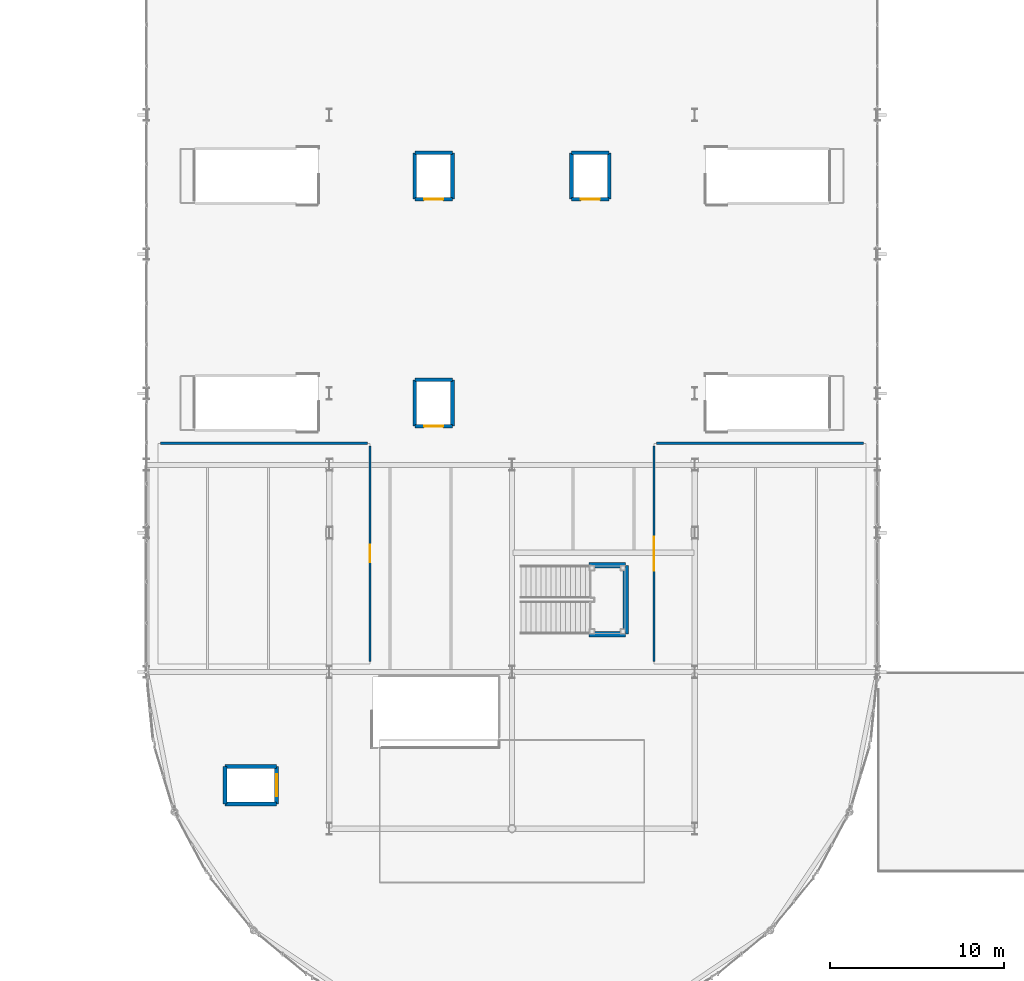
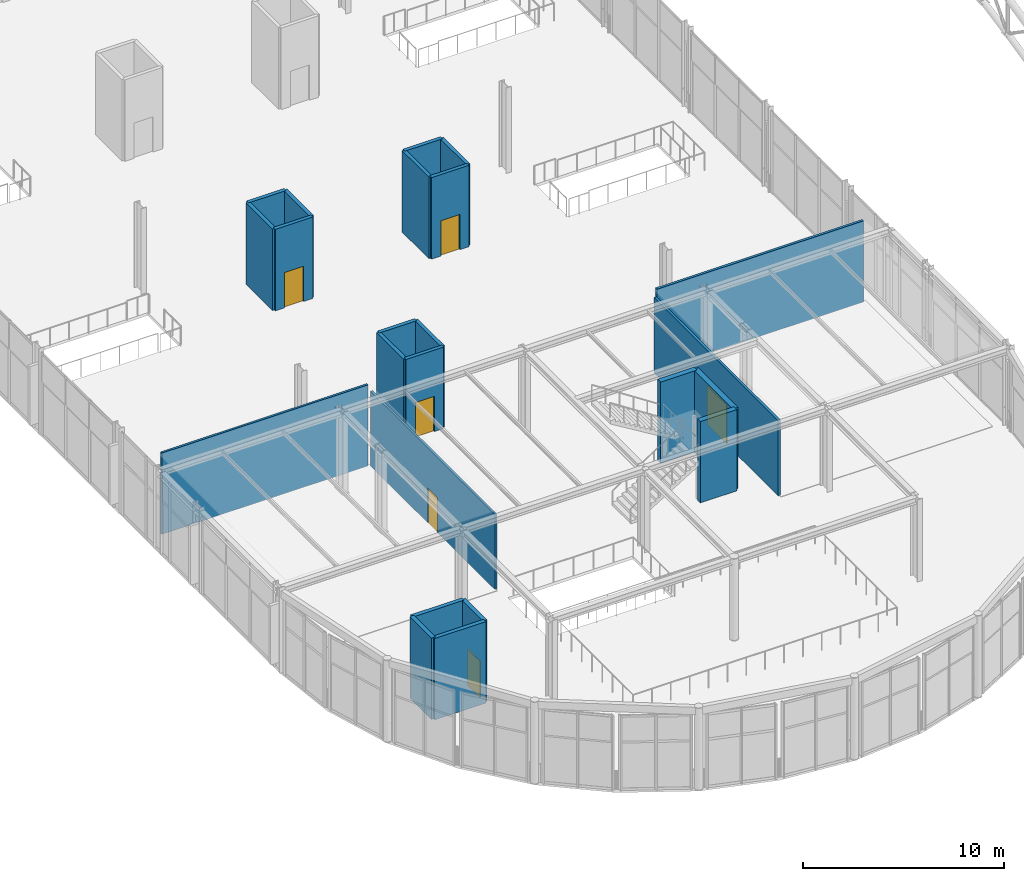
# One storey, part 108 of 195: 23 walls, 6 doors, 6 openings.
"""IFC4 building model written with IfcOpenShell, lengths in metres."""

from ifc_helpers import new_model, si_unit, direction, frame, frame_2d, origin, place, context, subcontext, project, spatial, rectangle, extrude, material, layer, layer_set, type_object, element, fill, save


model = new_model("IFC4")

# Units and contexts
model_context = context("Model", 3, precision=1e-05, world=origin(), true_north=direction((0.0, 1.0)))
body_context = subcontext(model_context, "Body", "Model", "MODEL_VIEW")
ifc_project = project(units=[si_unit("LENGTHUNIT", "METRE"), si_unit("AREAUNIT", "SQUARE_METRE"), si_unit("VOLUMEUNIT", "CUBIC_METRE"), si_unit("PLANEANGLEUNIT", "RADIAN"), si_unit("MASSUNIT", "GRAM", prefix="KILO")], contexts=[model_context])

# Site, building, storey
site_placement = place(None, origin())
site = spatial("IfcSite", under=ifc_project, at=site_placement, CompositionType="ELEMENT")
building_placement = place(site_placement, origin())
building = spatial("IfcBuilding", under=site, at=building_placement, Name="Marlcrest Central Station", CompositionType="ELEMENT")
storey_placement = place(building_placement, frame((0.0, 0.0, 9.800048828125)))
storey = spatial("IfcBuildingStorey", under=building, at=storey_placement, Name="L02", CompositionType="ELEMENT", Elevation=9.800048828125)

# Wall, opening, door
ifc_material_1 = material(Name="Acoustic steel-stud gypsum board partition", Category="steel")
ifc_layer_1 = layer(ifc_material_1, 0.1201171875, Name="PT-01")
ifc_layer_set_1 = layer_set([ifc_layer_1], Name="Acoustic steel-stud gypsum board partition")
wall_type_1 = type_object("IfcWallType", Name="PT-01", PredefinedType="PARTITIONING", material=ifc_layer_set_1)
wall_1_placement = place(storey_placement, frame((99.840087890625, 23.110107421875, 0.0), z_axis=(0.0, 0.0, 1.0), x_axis=(0.0, 1.0, 0.0)))
wall_1 = element("IfcWall", 1, at=wall_1_placement, inside=storey, type_object=wall_type_1, Name="iwall-L02-00114", PredefinedType="PARTITIONING", context=body_context, shape_type="SweptSolid", body=[
    extrude(rectangle(XDim=12.3798828125, YDim=0.1201171875, at=frame_2d((6.18994140625, 0.0))), origin(), (0.0, 0.0, 1.0), 4.574951171875),
])
opening_1_placement = place(wall_1_placement, frame((5.68994140625, 0.0, 0.0)))
opening_1 = element("IfcOpeningElement", 2, at=opening_1_placement, cuts=wall_1, Name="Opening ID-02", PredefinedType="OPENING", context=body_context, shape_type="SweptSolid", body=[
    extrude(rectangle(XDim=1.0, YDim=2.14990234375, at=frame_2d((0.5, 1.074951171875))), frame((0.0, 0.070068359375, 0.0), z_axis=(0.0, -1.0, 0.0), x_axis=(1.0, 0.0, 0.0)), (0.0, 0.0, 1.0), 0.14013671875),
])
ifc_material_2 = material(Name="Solid-core hardwood office door", Category="wood")
door_type_1 = type_object("IfcDoorType", Name="ID-02", OperationType="NOTDEFINED", PredefinedType="DOOR", material=ifc_material_2)
door_1_placement = place(opening_1_placement, origin())
door_1 = element("IfcDoor", 3, at=door_1_placement, inside=storey, type_object=door_type_1, Name="L02-V2B 0068", OperationType="SINGLE_SWING_LEFT", OverallHeight=2.14990234375, OverallWidth=1.0, PredefinedType="DOOR", context=body_context, shape_type="SweptSolid", body=[
    extrude(rectangle(XDim=1.0, YDim=2.14990234375, at=frame_2d((0.5, 1.074951171875))), frame((0.0, 0.02490234375, 0.0), z_axis=(0.0, -1.0, 0.0), x_axis=(1.0, 0.0, 0.0)), (0.0, 0.0, 1.0), 0.050048828125),
])
fill(opening_1, door_1)

# Wall
wall_2_placement = place(storey_placement, frame((87.81005859375, 35.639892578125, 0.0), z_axis=(0.0, 0.0, 1.0), x_axis=(1.0, 0.0, 0.0)))
element("IfcWall", 4, at=wall_2_placement, inside=storey, type_object=wall_type_1, Name="iwall-L02-00115", PredefinedType="PARTITIONING", context=body_context, shape_type="SweptSolid", body=[
    extrude(rectangle(XDim=11.8798828125, YDim=0.1201171875, at=frame_2d((5.93994140625, 0.0))), origin(), (0.0, 0.0, 1.0), 4.949951171875),
])

# Wall, opening, door
ifc_material_3 = material(Name="Acoustic double-stud partition")
ifc_layer_2 = layer(ifc_material_3, 0.139892578125, Name="PT-02")
ifc_layer_set_2 = layer_set([ifc_layer_2], Name="Acoustic double-stud partition")
wall_type_2 = type_object("IfcWallType", Name="PT-02", PredefinedType="PARTITIONING", material=ifc_layer_set_2)
wall_3_placement = place(storey_placement, frame((116.159912109375, 35.489990234375, 0.0), z_axis=(0.0, 0.0, 1.0), x_axis=(0.0, -1.0, 0.0)))
wall_3 = element("IfcWall", 5, at=wall_3_placement, inside=storey, type_object=wall_type_2, Name="iwall-L02-00116", PredefinedType="PARTITIONING", context=body_context, shape_type="SweptSolid", body=[
    extrude(rectangle(XDim=12.3798828125, YDim=0.139892578125, at=frame_2d((6.18994140625, 0.0))), origin(), (0.0, 0.0, 1.0), 4.574951171875),
])
opening_2_placement = place(wall_3_placement, frame((5.215087890625, 0.0, 0.0)))
opening_2 = element("IfcOpeningElement", 6, at=opening_2_placement, cuts=wall_3, Name="Opening ID-11", PredefinedType="OPENING", context=body_context, shape_type="SweptSolid", body=[
    extrude(rectangle(XDim=1.949951171875, YDim=2.35009765625, at=frame_2d((0.97509765625, 1.175048828125))), frame((0.0, 0.079833984375, 0.0), z_axis=(0.0, -1.0, 0.0), x_axis=(1.0, 0.0, 0.0)), (0.0, 0.0, 1.0), 0.159912109375),
])
ifc_material_4 = material(Name="Double waiting lounge glazed door")
door_type_2 = type_object("IfcDoorType", Name="ID-11", OperationType="DOUBLE_DOOR_SINGLE_SWING", PredefinedType="DOOR", material=ifc_material_4)
door_2_placement = place(opening_2_placement, origin())
door_2 = element("IfcDoor", 7, at=door_2_placement, inside=storey, type_object=door_type_2, Name="L02-V2C 0069", OperationType="DOUBLE_DOOR_SINGLE_SWING", OverallHeight=2.35009765625, OverallWidth=1.949951171875, PredefinedType="DOOR", context=body_context, shape_type="SweptSolid", body=[
    extrude(rectangle(XDim=1.949951171875, YDim=2.35009765625, at=frame_2d((0.97509765625, 1.175048828125))), frame((0.0, 0.02490234375, 0.0), z_axis=(0.0, -1.0, 0.0), x_axis=(1.0, 0.0, 0.0)), (0.0, 0.0, 1.0), 0.050048828125),
])
fill(opening_2, door_2)

# Walls
wall_4_placement = place(storey_placement, frame((116.31005859375, 35.639892578125, 0.0), z_axis=(0.0, 0.0, 1.0), x_axis=(1.0, 0.0, 0.0)))
element("IfcWall", 8, at=wall_4_placement, inside=storey, type_object=wall_type_2, Name="iwall-L02-00117", PredefinedType="PARTITIONING", context=body_context, shape_type="SweptSolid", body=[
    extrude(rectangle(XDim=11.8798828125, YDim=0.139892578125, at=frame_2d((5.93994140625, 0.0))), origin(), (0.0, 0.0, 1.0), 4.949951171875),
])
ifc_material_5 = material(Name="Concrete C40/50", Category="concrete")
ifc_layer_3 = layer(ifc_material_5, 0.22998046875, Name="SHW-01")
ifc_layer_set_3 = layer_set([ifc_layer_3], Name="Concrete C40/50")
wall_type_3 = type_object("IfcWallType", Name="SHW-01", PredefinedType="SOLIDWALL", material=ifc_layer_set_3)
for number, where, z_axis, x_axis, name in (
    (9, (91.52001953125, 17.080078125, 0.0), (0.0, 0.0, 1.0), (1.0, 0.0, 0.0), "iwall-L02-00295"),
    (10, (94.47998046875, 14.919921875, 0.0), (0.0, 0.0, 1.0), (-1.0, 0.0, 0.0), "iwall-L02-00296"),
):
    element("IfcWall", number, at=place(storey_placement, frame(where, z_axis=z_axis, x_axis=x_axis)), inside=storey, type_object=wall_type_3, Name=name, PredefinedType="SOLIDWALL", context=body_context, shape_type="SweptSolid", body=[
        extrude(rectangle(XDim=2.9599609375, YDim=0.22998046875, at=frame_2d((1.47998046875, 0.0))), origin(), (0.0, 0.0, 1.0), 4.9599609375),
    ])
wall_5_placement = place(storey_placement, frame((91.52001953125, 14.919921875, 0.0), z_axis=(0.0, 0.0, 1.0), x_axis=(0.0, 1.0, 0.0)))
element("IfcWall", 11, at=wall_5_placement, inside=storey, type_object=wall_type_3, Name="iwall-L02-00297", PredefinedType="SOLIDWALL", context=body_context, shape_type="SweptSolid", body=[
    extrude(rectangle(XDim=2.16015625, YDim=0.22998046875, at=frame_2d((1.080078125, 0.0))), origin(), (0.0, 0.0, 1.0), 4.9599609375),
])

# Wall, opening, door
wall_6_placement = place(storey_placement, frame((94.47998046875, 17.080078125, 0.0), z_axis=(0.0, 0.0, 1.0), x_axis=(0.0, -1.0, 0.0)))
wall_6 = element("IfcWall", 12, at=wall_6_placement, inside=storey, type_object=wall_type_3, Name="iwall-L02-00298", PredefinedType="SOLIDWALL", context=body_context, shape_type="SweptSolid", body=[
    extrude(rectangle(XDim=2.16015625, YDim=0.22998046875, at=frame_2d((1.080078125, 0.0))), origin(), (0.0, 0.0, 1.0), 4.9599609375),
])
opening_3_placement = place(wall_6_placement, frame((0.455078125, 0.0, 0.0)))
opening_3 = element("IfcOpeningElement", 13, at=opening_3_placement, cuts=wall_6, Name="Opening LD-02", PredefinedType="OPENING", context=body_context, shape_type="SweptSolid", body=[
    extrude(rectangle(XDim=1.25, YDim=2.199951171875, at=frame_2d((0.625, 1.10009765625))), frame((0.0, 0.125, 0.0), z_axis=(0.0, -1.0, 0.0), x_axis=(1.0, 0.0, 0.0)), (0.0, 0.0, 1.0), 0.25),
])
ifc_material_6 = material(Name="Stainless steel stretcher/firefighting lift landing door", Category="steel")
door_type_3 = type_object("IfcDoorType", Name="LD-02", OperationType="DOUBLE_DOOR_SLIDING", PredefinedType="DOOR", material=ifc_material_6)
door_3_placement = place(opening_3_placement, origin())
door_3 = element("IfcDoor", 14, at=door_3_placement, inside=storey, type_object=door_type_3, Name="LF-C1 Lift Landing Door 0144", OperationType="DOUBLE_DOOR_SLIDING", OverallHeight=2.199951171875, OverallWidth=1.25, PredefinedType="DOOR", context=body_context, shape_type="SweptSolid", body=[
    extrude(rectangle(XDim=1.25, YDim=2.199951171875, at=frame_2d((0.625, 1.10009765625))), frame((0.0, 0.02490234375, 0.0), z_axis=(0.0, -1.0, 0.0), x_axis=(1.0, 0.0, 0.0)), (0.0, 0.0, 1.0), 0.050048828125),
])
fill(opening_3, door_3)

# Wall
ifc_material_7 = material(Name="Concrete C35/45", Category="concrete")
ifc_layer_4 = layer(ifc_material_7, 0.205078125, Name="SHW-03")
ifc_layer_set_4 = layer_set([ifc_layer_4], Name="Concrete C35/45")
wall_type_4 = type_object("IfcWallType", Name="SHW-03", PredefinedType="SOLIDWALL", material=ifc_layer_set_4)
wall_7_placement = place(storey_placement, frame((102.419921875, 39.280029296875, 0.0), z_axis=(0.0, 0.0, 1.0), x_axis=(1.0, 0.0, 0.0)))
element("IfcWall", 15, at=wall_7_placement, inside=storey, type_object=wall_type_4, Name="iwall-L02-00227", PredefinedType="SOLIDWALL", context=body_context, shape_type="SweptSolid", body=[
    extrude(rectangle(XDim=2.16015625, YDim=0.205078125, at=frame_2d((1.080078125, 0.0))), origin(), (0.0, 0.0, 1.0), 4.9599609375),
])

# Wall, opening, door
wall_8_placement = place(storey_placement, frame((104.580078125, 36.6201171875, 0.0), z_axis=(0.0, 0.0, 1.0), x_axis=(-1.0, 0.0, 0.0)))
wall_8 = element("IfcWall", 16, at=wall_8_placement, inside=storey, type_object=wall_type_4, Name="iwall-L02-00228", PredefinedType="SOLIDWALL", context=body_context, shape_type="SweptSolid", body=[
    extrude(rectangle(XDim=2.16015625, YDim=0.205078125, at=frame_2d((1.080078125, 0.0))), origin(), (0.0, 0.0, 1.0), 4.9599609375),
])
opening_4_placement = place(wall_8_placement, frame((0.530029296875, 0.0, 0.0)))
opening_4 = element("IfcOpeningElement", 17, at=opening_4_placement, cuts=wall_8, Name="Opening LD-01", PredefinedType="OPENING", context=body_context, shape_type="SweptSolid", body=[
    extrude(rectangle(XDim=1.10009765625, YDim=2.14990234375, at=frame_2d((0.550048828125, 1.074951171875))), frame((0.0, 0.112548828125, 0.0), z_axis=(0.0, -1.0, 0.0), x_axis=(1.0, 0.0, 0.0)), (0.0, 0.0, 1.0), 0.22509765625),
])
ifc_material_8 = material(Name="Stainless steel sliding passenger lift landing door", Category="steel")
door_type_4 = type_object("IfcDoorType", Name="LD-01", OperationType="DOUBLE_DOOR_SLIDING", PredefinedType="DOOR", material=ifc_material_8)
door_4_placement = place(opening_4_placement, origin())
door_4 = element("IfcDoor", 18, at=door_4_placement, inside=storey, type_object=door_type_4, Name="LF-P1 Lift Landing Door 0127", OperationType="DOUBLE_DOOR_SLIDING", OverallHeight=2.14990234375, OverallWidth=1.10009765625, PredefinedType="DOOR", context=body_context, shape_type="SweptSolid", body=[
    extrude(rectangle(XDim=1.10009765625, YDim=2.14990234375, at=frame_2d((0.550048828125, 1.074951171875))), frame((0.0, 0.02490234375, 0.0), z_axis=(0.0, -1.0, 0.0), x_axis=(1.0, 0.0, 0.0)), (0.0, 0.0, 1.0), 0.050048828125),
])
fill(opening_4, door_4)

# Walls
for number, where, z_axis, x_axis, name in (
    (19, (102.419921875, 36.6201171875, 0.0), (0.0, 0.0, 1.0), (0.0, 1.0, 0.0), "iwall-L02-00229"),
    (20, (104.580078125, 39.280029296875, 0.0), (0.0, 0.0, 1.0), (0.0, -1.0, 0.0), "iwall-L02-00230"),
):
    element("IfcWall", number, at=place(storey_placement, frame(where, z_axis=z_axis, x_axis=x_axis)), inside=storey, type_object=wall_type_4, Name=name, PredefinedType="SOLIDWALL", context=body_context, shape_type="SweptSolid", body=[
        extrude(rectangle(XDim=2.659912109375, YDim=0.205078125, at=frame_2d((1.330078125, 0.0))), origin(), (0.0, 0.0, 1.0), 4.9599609375),
    ])
wall_9_placement = place(storey_placement, frame((102.419921875, 52.330078125, 0.0), z_axis=(0.0, 0.0, 1.0), x_axis=(1.0, 0.0, 0.0)))
element("IfcWall", 21, at=wall_9_placement, inside=storey, type_object=wall_type_4, Name="iwall-L02-00235", PredefinedType="SOLIDWALL", context=body_context, shape_type="SweptSolid", body=[
    extrude(rectangle(XDim=2.16015625, YDim=0.205078125, at=frame_2d((1.080078125, 0.0))), origin(), (0.0, 0.0, 1.0), 4.9599609375),
])

# Wall, opening, door
wall_10_placement = place(storey_placement, frame((104.580078125, 49.669921875, 0.0), z_axis=(0.0, 0.0, 1.0), x_axis=(-1.0, 0.0, 0.0)))
wall_10 = element("IfcWall", 22, at=wall_10_placement, inside=storey, type_object=wall_type_4, Name="iwall-L02-00236", PredefinedType="SOLIDWALL", context=body_context, shape_type="SweptSolid", body=[
    extrude(rectangle(XDim=2.16015625, YDim=0.205078125, at=frame_2d((1.080078125, 0.0))), origin(), (0.0, 0.0, 1.0), 4.9599609375),
])
opening_5_placement = place(wall_10_placement, frame((0.530029296875, 0.0, 0.0)))
opening_5 = element("IfcOpeningElement", 23, at=opening_5_placement, cuts=wall_10, Name="Opening LD-01", PredefinedType="OPENING", context=body_context, shape_type="SweptSolid", body=[
    extrude(rectangle(XDim=1.10009765625, YDim=2.14990234375, at=frame_2d((0.550048828125, 1.074951171875))), frame((0.0, 0.112548828125, 0.0), z_axis=(0.0, -1.0, 0.0), x_axis=(1.0, 0.0, 0.0)), (0.0, 0.0, 1.0), 0.22509765625),
])
door_5_placement = place(opening_5_placement, origin())
door_5 = element("IfcDoor", 24, at=door_5_placement, inside=storey, type_object=door_type_4, Name="LF-P2 Lift Landing Door 0129", OperationType="DOUBLE_DOOR_SLIDING", OverallHeight=2.14990234375, OverallWidth=1.10009765625, PredefinedType="DOOR", context=body_context, shape_type="SweptSolid", body=[
    extrude(rectangle(XDim=1.10009765625, YDim=2.14990234375, at=frame_2d((0.550048828125, 1.074951171875))), frame((0.0, 0.02490234375, 0.0), z_axis=(0.0, -1.0, 0.0), x_axis=(1.0, 0.0, 0.0)), (0.0, 0.0, 1.0), 0.050048828125),
])
fill(opening_5, door_5)

# Walls
for number, where, z_axis, x_axis, name in (
    (25, (102.419921875, 49.669921875, 0.0), (0.0, 0.0, 1.0), (0.0, 1.0, 0.0), "iwall-L02-00237"),
    (26, (104.580078125, 52.330078125, 0.0), (0.0, 0.0, 1.0), (0.0, -1.0, 0.0), "iwall-L02-00238"),
):
    element("IfcWall", number, at=place(storey_placement, frame(where, z_axis=z_axis, x_axis=x_axis)), inside=storey, type_object=wall_type_4, Name=name, PredefinedType="SOLIDWALL", context=body_context, shape_type="SweptSolid", body=[
        extrude(rectangle(XDim=2.66015625, YDim=0.205078125, at=frame_2d((1.330078125, 0.0))), origin(), (0.0, 0.0, 1.0), 4.9599609375),
    ])
wall_11_placement = place(storey_placement, frame((111.419921875, 52.330078125, 0.0), z_axis=(0.0, 0.0, 1.0), x_axis=(1.0, 0.0, 0.0)))
element("IfcWall", 27, at=wall_11_placement, inside=storey, type_object=wall_type_4, Name="iwall-L02-00243", PredefinedType="SOLIDWALL", context=body_context, shape_type="SweptSolid", body=[
    extrude(rectangle(XDim=2.16015625, YDim=0.205078125, at=frame_2d((1.080078125, 0.0))), origin(), (0.0, 0.0, 1.0), 4.9599609375),
])

# Wall, opening, door
wall_12_placement = place(storey_placement, frame((113.580078125, 49.669921875, 0.0), z_axis=(0.0, 0.0, 1.0), x_axis=(-1.0, 0.0, 0.0)))
wall_12 = element("IfcWall", 28, at=wall_12_placement, inside=storey, type_object=wall_type_4, Name="iwall-L02-00244", PredefinedType="SOLIDWALL", context=body_context, shape_type="SweptSolid", body=[
    extrude(rectangle(XDim=2.16015625, YDim=0.205078125, at=frame_2d((1.080078125, 0.0))), origin(), (0.0, 0.0, 1.0), 4.9599609375),
])
opening_6_placement = place(wall_12_placement, frame((0.530029296875, 0.0, 0.0)))
opening_6 = element("IfcOpeningElement", 29, at=opening_6_placement, cuts=wall_12, Name="Opening LD-01", PredefinedType="OPENING", context=body_context, shape_type="SweptSolid", body=[
    extrude(rectangle(XDim=1.10009765625, YDim=2.14990234375, at=frame_2d((0.550048828125, 1.074951171875))), frame((0.0, 0.112548828125, 0.0), z_axis=(0.0, -1.0, 0.0), x_axis=(1.0, 0.0, 0.0)), (0.0, 0.0, 1.0), 0.22509765625),
])
door_6_placement = place(opening_6_placement, origin())
door_6 = element("IfcDoor", 30, at=door_6_placement, inside=storey, type_object=door_type_4, Name="LF-P3 Lift Landing Door 0131", OperationType="DOUBLE_DOOR_SLIDING", OverallHeight=2.14990234375, OverallWidth=1.10009765625, PredefinedType="DOOR", context=body_context, shape_type="SweptSolid", body=[
    extrude(rectangle(XDim=1.10009765625, YDim=2.14990234375, at=frame_2d((0.550048828125, 1.074951171875))), frame((0.0, 0.02490234375, 0.0), z_axis=(0.0, -1.0, 0.0), x_axis=(1.0, 0.0, 0.0)), (0.0, 0.0, 1.0), 0.050048828125),
])
fill(opening_6, door_6)

# Walls
for number, where, z_axis, x_axis, name in (
    (31, (111.419921875, 49.669921875, 0.0), (0.0, 0.0, 1.0), (0.0, 1.0, 0.0), "iwall-L02-00245"),
    (32, (113.580078125, 52.330078125, 0.0), (0.0, 0.0, 1.0), (0.0, -1.0, 0.0), "iwall-L02-00246"),
):
    element("IfcWall", number, at=place(storey_placement, frame(where, z_axis=z_axis, x_axis=x_axis)), inside=storey, type_object=wall_type_4, Name=name, PredefinedType="SOLIDWALL", context=body_context, shape_type="SweptSolid", body=[
        extrude(rectangle(XDim=2.66015625, YDim=0.205078125, at=frame_2d((1.330078125, 0.0))), origin(), (0.0, 0.0, 1.0), 4.9599609375),
    ])
ifc_material_9 = material(Name="Concrete C50/60", Category="concrete")
ifc_layer_5 = layer(ifc_material_9, 0.300048828125, Name="SW-02")
ifc_layer_set_5 = layer_set([ifc_layer_5], Name="Concrete C50/60")
wall_type_5 = type_object("IfcWallType", Name="SW-02", PredefinedType="SHEAR", material=ifc_layer_set_5)
wall_13_placement = place(storey_placement, frame((112.429931640625, 24.669921875, 0.0), z_axis=(0.0, 0.0, 1.0), x_axis=(1.0, 0.0, 0.0)))
element("IfcWall", 33, at=wall_13_placement, inside=storey, type_object=wall_type_5, Name="htsw-0035-S", PredefinedType="SHEAR", context=body_context, shape_type="SweptSolid", body=[
    extrude(rectangle(XDim=2.10009765625, YDim=0.300048828125, at=frame_2d((1.050048828125, 0.0))), origin(), (0.0, 0.0, 1.0), 4.949951171875),
])
wall_14_placement = place(storey_placement, frame((114.530029296875, 24.669921875, 0.0), z_axis=(0.0, 0.0, 1.0), x_axis=(0.0, 1.0, 0.0)))
element("IfcWall", 34, at=wall_14_placement, inside=storey, type_object=wall_type_5, Name="htsw-0035-E", PredefinedType="SHEAR", context=body_context, shape_type="SweptSolid", body=[
    extrude(rectangle(XDim=3.9599609375, YDim=0.300048828125, at=frame_2d((1.97998046875, 0.0))), origin(), (0.0, 0.0, 1.0), 4.949951171875),
])
wall_15_placement = place(storey_placement, frame((114.530029296875, 28.6298828125, 0.0), z_axis=(0.0, 0.0, 1.0), x_axis=(-1.0, 0.0, 0.0)))
element("IfcWall", 35, at=wall_15_placement, inside=storey, type_object=wall_type_5, Name="htsw-0035-N", PredefinedType="SHEAR", context=body_context, shape_type="SweptSolid", body=[
    extrude(rectangle(XDim=2.10009765625, YDim=0.300048828125, at=frame_2d((1.050048828125, 0.0))), origin(), (0.0, 0.0, 1.0), 4.949951171875),
])

save(model, "model.ifc")
